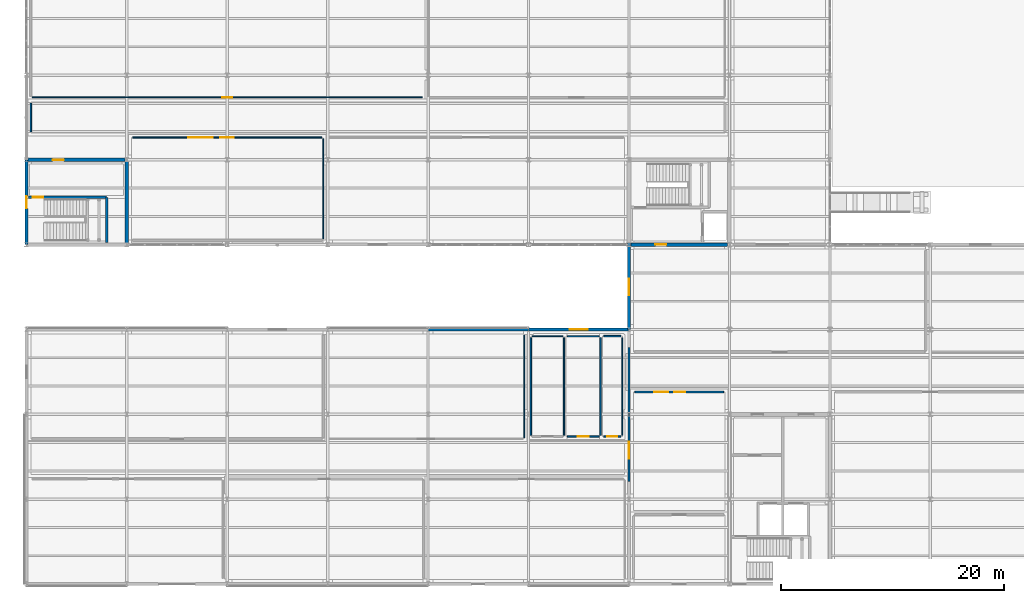
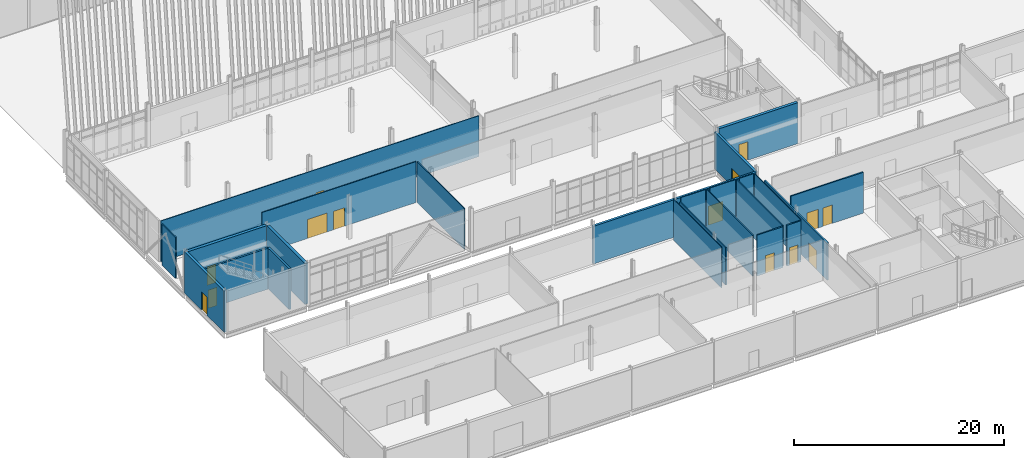
# One storey, part 139 of 161: 25 walls, 13 doors, 1 window, 14 openings.
"""IFC4 building model written with IfcOpenShell, lengths in metres."""

from ifc_helpers import new_model, si_unit, direction, frame, frame_2d, origin, place, context, subcontext, project, spatial, rectangle, extrude, material, layer, layer_set, type_object, element, fill, save


model = new_model("IFC4")

# Units and contexts
model_context = context("Model", 3, precision=1e-05, world=origin(), true_north=direction((0.0, 1.0)))
body_context = subcontext(model_context, "Body", "Model", "MODEL_VIEW")
ifc_project = project(units=[si_unit("LENGTHUNIT", "METRE"), si_unit("AREAUNIT", "SQUARE_METRE"), si_unit("VOLUMEUNIT", "CUBIC_METRE"), si_unit("PLANEANGLEUNIT", "RADIAN"), si_unit("MASSUNIT", "GRAM", prefix="KILO")], contexts=[model_context])

# Site, building, storey
site_placement = place(None, origin())
site = spatial("IfcSite", under=ifc_project, at=site_placement, CompositionType="ELEMENT")
building_placement = place(site_placement, origin())
building = spatial("IfcBuilding", under=site, at=building_placement, Name="Caisbarro Railhouse Central Library", CompositionType="ELEMENT")
storey_placement = place(building_placement, origin())
storey = spatial("IfcBuildingStorey", under=building, at=storey_placement, Name="L00", CompositionType="ELEMENT", Elevation=0.0)

# Wall, opening, door
ifc_material_1 = material(Name="Concrete C40", Category="concrete")
ifc_layer_1 = layer(ifc_material_1, 0.320068359375, Name="Concrete C40")
ifc_layer_set_1 = layer_set([ifc_layer_1], Name="Concrete C40")
wall_type_1 = type_object("IfcWallType", Name="WAL-CW32", PredefinedType="SHEAR", material=ifc_layer_set_1)
wall_1_placement = place(storey_placement, frame((54.159912109375, 30.39990234375, 0.0), z_axis=(0.0, 0.0, 1.0), x_axis=(1.0, 0.0, 0.0)))
wall_1 = element("IfcWall", 1, at=wall_1_placement, inside=storey, type_object=wall_type_1, Name="CW32 RC core shear wall L00 #58", PredefinedType="SHEAR", context=body_context, shape_type="SweptSolid", body=[
    extrude(rectangle(XDim=8.68017578125, YDim=0.320068359375, at=frame_2d((4.340087890625, 0.0))), origin(), (0.0, 0.0, 1.0), 4.760009765625),
])
opening_1_placement = place(wall_1_placement, frame((2.199951171875, 0.0, 0.0)))
opening_1 = element("IfcOpeningElement", 2, at=opening_1_placement, cuts=wall_1, Name="Opening FD05", PredefinedType="OPENING", context=body_context, shape_type="SweptSolid", body=[
    extrude(rectangle(XDim=1.0, YDim=2.14990234375, at=frame_2d((0.5, 1.074951171875))), frame((0.0, 0.169921875, 0.0), z_axis=(0.0, -1.0, 0.0), x_axis=(1.0, 0.0, 0.0)), (0.0, 0.0, 1.0), 0.340087890625),
])
ifc_material_2 = material(Name="Fire-rated painted galvanised steel", Category="steel")
door_type_1 = type_object("IfcDoorType", Name="DR-FD05", OperationType="NOTDEFINED", PredefinedType="DOOR", material=ifc_material_2)
door_1_placement = place(opening_1_placement, origin())
door_1 = element("IfcDoor", 3, at=door_1_placement, inside=storey, type_object=door_type_1, Name="Core K4 Lobby Door FD05 L00-105", OperationType="SINGLE_SWING_RIGHT", OverallHeight=2.14990234375, OverallWidth=1.0, PredefinedType="DOOR", context=body_context, shape_type="SweptSolid", body=[
    extrude(rectangle(XDim=1.0, YDim=2.14990234375, at=frame_2d((0.5, 1.074951171875))), frame((0.0, 0.02490234375, 0.0), z_axis=(0.0, -1.0, 0.0), x_axis=(1.0, 0.0, 0.0)), (0.0, 0.0, 1.0), 0.050048828125),
])
fill(opening_1, door_1)

wall_2_placement = place(storey_placement, frame((0.159912109375, 38.0, 0.0), z_axis=(0.0, 0.0, 1.0), x_axis=(1.0, 0.0, 0.0)))
wall_2 = element("IfcWall", 4, at=wall_2_placement, inside=storey, type_object=wall_type_1, Name="CW32 RC core shear wall L00 #82", PredefinedType="SHEAR", context=body_context, shape_type="SweptSolid", body=[
    extrude(rectangle(XDim=8.68017578125, YDim=0.320068359375, at=frame_2d((4.340087890625, 0.0))), origin(), (0.0, 0.0, 1.0), 4.760009765625),
])
opening_2_placement = place(wall_2_placement, frame((2.199951171875, 0.0, 0.0)))
opening_2 = element("IfcOpeningElement", 5, at=opening_2_placement, cuts=wall_2, Name="Opening FD05", PredefinedType="OPENING", context=body_context, shape_type="SweptSolid", body=[
    extrude(rectangle(XDim=1.0, YDim=2.14990234375, at=frame_2d((0.5, 1.074951171875))), frame((0.0, 0.169921875, 0.0), z_axis=(0.0, -1.0, 0.0), x_axis=(1.0, 0.0, 0.0)), (0.0, 0.0, 1.0), 0.340087890625),
])
door_2_placement = place(opening_2_placement, origin())
door_2 = element("IfcDoor", 6, at=door_2_placement, inside=storey, type_object=door_type_1, Name="Core K6 Lobby Door FD05 L00-120", OperationType="SINGLE_SWING_LEFT", OverallHeight=2.14990234375, OverallWidth=1.0, PredefinedType="DOOR", context=body_context, shape_type="SweptSolid", body=[
    extrude(rectangle(XDim=1.0, YDim=2.14990234375, at=frame_2d((0.5, 1.074951171875))), frame((0.0, 0.02490234375, 0.0), z_axis=(0.0, -1.0, 0.0), x_axis=(1.0, 0.0, 0.0)), (0.0, 0.0, 1.0), 0.050048828125),
])
fill(opening_2, door_2)

# Walls
wall_3_placement = place(storey_placement, frame((9.0, 30.56005859375, 0.0), z_axis=(0.0, 0.0, 1.0), x_axis=(0.0, 1.0, 0.0)))
element("IfcWall", 7, at=wall_3_placement, inside=storey, type_object=wall_type_1, Name="CW32 RC core shear wall L00 #83", PredefinedType="SHEAR", context=body_context, shape_type="SweptSolid", body=[
    extrude(rectangle(XDim=7.280029296875, YDim=0.320068359375, at=frame_2d((3.64013671875, 0.0))), origin(), (0.0, 0.0, 1.0), 4.760009765625),
])
ifc_material_3 = material(Name="Concrete C35 insulated architectural precast", Category="concrete")
ifc_layer_2 = layer(ifc_material_3, 0.260009765625, Name="Concrete C35 insulated architectural precast")
ifc_layer_set_2 = layer_set([ifc_layer_2], Name="Concrete C35 insulated architectural precast")
wall_type_2 = type_object("IfcWallType", Name="WAL-EW26", PredefinedType="STANDARD", material=ifc_layer_set_2)
wall_4_placement = place(storey_placement, frame((36.0, 22.800048828125, 0.0), z_axis=(0.0, 0.0, 1.0), x_axis=(1.0, 0.0, 0.0)))
element("IfcWall", 8, at=wall_4_placement, inside=storey, type_object=wall_type_2, Name="EW26 exterior wall L00 #48", PredefinedType="STANDARD", context=body_context, shape_type="SweptSolid", body=[
    extrude(rectangle(XDim=9.0, YDim=0.260009765625, at=frame_2d((4.5, 0.0))), origin(), (0.0, 0.0, 1.0), 4.37109375),
])

# Wall, opening, door
wall_5_placement = place(storey_placement, frame((45.0, 22.800048828125, 0.0), z_axis=(0.0, 0.0, 1.0), x_axis=(1.0, 0.0, 0.0)))
wall_5 = element("IfcWall", 9, at=wall_5_placement, inside=storey, type_object=wall_type_2, Name="EW26 exterior wall L00 #50", PredefinedType="STANDARD", context=body_context, shape_type="SweptSolid", body=[
    extrude(rectangle(XDim=9.0, YDim=0.260009765625, at=frame_2d((4.5, 0.0))), origin(), (0.0, 0.0, 1.0), 4.37109375),
])
opening_3_placement = place(wall_5_placement, frame((3.699951171875, 0.0, 0.0)))
opening_3 = element("IfcOpeningElement", 10, at=opening_3_placement, cuts=wall_5, Name="Opening ED03", PredefinedType="OPENING", context=body_context, shape_type="SweptSolid", body=[
    extrude(rectangle(XDim=1.60009765625, YDim=2.199951171875, at=frame_2d((0.800048828125, 1.10009765625))), frame((0.0, 0.14013671875, 0.0), z_axis=(0.0, -1.0, 0.0), x_axis=(1.0, 0.0, 0.0)), (0.0, 0.0, 1.0), 0.280029296875),
])
ifc_material_4 = material(Name="Thermally broken anodised aluminium and safety glass", Category="aluminium")
door_type_2 = type_object("IfcDoorType", Name="DR-ED03", OperationType="NOTDEFINED", PredefinedType="DOOR", material=ifc_material_4)
door_3_placement = place(opening_3_placement, origin())
door_3 = element("IfcDoor", 11, at=door_3_placement, inside=storey, type_object=door_type_2, Name="Exit Door ED03 L00-13", OperationType="SINGLE_SWING_LEFT", OverallHeight=2.199951171875, OverallWidth=1.60009765625, PredefinedType="DOOR", context=body_context, shape_type="SweptSolid", body=[
    extrude(rectangle(XDim=1.60009765625, YDim=2.199951171875, at=frame_2d((0.800048828125, 1.10009765625))), frame((0.0, 0.02490234375, 0.0), z_axis=(0.0, -1.0, 0.0), x_axis=(1.0, 0.0, 0.0)), (0.0, 0.0, 1.0), 0.050048828125),
])
fill(opening_3, door_3)

# Wall, opening, window
wall_6_placement = place(storey_placement, frame((54.0, 22.800048828125, 0.0), z_axis=(0.0, 0.0, 1.0), x_axis=(0.0, 1.0, 0.0)))
wall_6 = element("IfcWall", 12, at=wall_6_placement, inside=storey, type_object=wall_type_2, Name="EW26 exterior wall L00 #80", PredefinedType="STANDARD", context=body_context, shape_type="SweptSolid", body=[
    extrude(rectangle(XDim=7.81005859375, YDim=0.260009765625, at=frame_2d((3.905029296875, 0.0))), origin(), (0.0, 0.0, 1.0), 4.319091796875),
])
opening_4_placement = place(wall_6_placement, frame((3.050048828125, 0.0, 0.85009765625)))
opening_4 = element("IfcOpeningElement", 13, at=opening_4_placement, cuts=wall_6, Name="Opening W05", PredefinedType="OPENING", context=body_context, shape_type="SweptSolid", body=[
    extrude(rectangle(XDim=1.5, YDim=1.199951171875, at=frame_2d((0.75, 0.60009765625))), frame((0.0, 0.14013671875, 0.0), z_axis=(0.0, -1.0, 0.0), x_axis=(1.0, 0.0, 0.0)), (0.0, 0.0, 1.0), 0.280029296875),
])
ifc_material_5 = material(Name="Double low-e laminated solar-control glass", Category="glass")
window_type = type_object("IfcWindowType", Name="WIN-W05", PartitioningType="SINGLE_PANEL", PredefinedType="WINDOW", material=ifc_material_5)
window_placement = place(opening_4_placement, origin())
window = element("IfcWindow", 14, at=window_placement, inside=storey, type_object=window_type, Name="W05 window L00-008", OverallHeight=1.199951171875, OverallWidth=1.5, PartitioningType="SINGLE_PANEL", PredefinedType="WINDOW", context=body_context, shape_type="SweptSolid", body=[
    extrude(rectangle(XDim=1.5, YDim=1.199951171875, at=frame_2d((0.75, 0.60009765625))), frame((0.0, 0.030029296875, 0.0), z_axis=(0.0, -1.0, 0.0), x_axis=(1.0, 0.0, 0.0)), (0.0, 0.0, 1.0), 0.06005859375),
])
fill(opening_4, window)

# Wall, opening, door
ifc_layer_3 = layer(ifc_material_1, 0.280029296875, Name="Concrete C40")
ifc_layer_set_3 = layer_set([ifc_layer_3], Name="Concrete C40")
wall_type_3 = type_object("IfcWallType", Name="WAL-EW28", PredefinedType="SOLIDWALL", material=ifc_layer_set_3)
wall_7_placement = place(storey_placement, frame((0.0, 30.39990234375, 0.0), z_axis=(0.0, 0.0, 1.0), x_axis=(0.0, 1.0, 0.0)))
wall_7 = element("IfcWall", 15, at=wall_7_placement, inside=storey, type_object=wall_type_3, Name="EW28 exterior wall L00 #26", PredefinedType="SOLIDWALL", context=body_context, shape_type="SweptSolid", body=[
    extrude(rectangle(XDim=7.60009765625, YDim=0.280029296875, at=frame_2d((3.800048828125, 0.0))), origin(), (0.0, 0.0, 1.0), 4.800048828125),
])
opening_5_placement = place(wall_7_placement, frame((3.25, 0.0, 0.0)))
opening_5 = element("IfcOpeningElement", 16, at=opening_5_placement, cuts=wall_7, Name="Opening ED04", PredefinedType="OPENING", context=body_context, shape_type="SweptSolid", body=[
    extrude(rectangle(XDim=1.10009765625, YDim=2.14990234375, at=frame_2d((0.550048828125, 1.074951171875))), frame((0.0, 0.14990234375, 0.0), z_axis=(0.0, -1.0, 0.0), x_axis=(1.0, 0.0, 0.0)), (0.0, 0.0, 1.0), 0.300048828125),
])
ifc_material_6 = material(Name="Galvanised painted hollow steel", Category="steel")
door_type_3 = type_object("IfcDoorType", Name="DR-ED04", OperationType="NOTDEFINED", PredefinedType="DOOR", material=ifc_material_6)
door_4_placement = place(opening_5_placement, origin())
door_4 = element("IfcDoor", 17, at=door_4_placement, inside=storey, type_object=door_type_3, Name="Exit Door ED04 L00-04", OperationType="SINGLE_SWING_LEFT", OverallHeight=2.14990234375, OverallWidth=1.10009765625, PredefinedType="DOOR", context=body_context, shape_type="SweptSolid", body=[
    extrude(rectangle(XDim=1.10009765625, YDim=2.14990234375, at=frame_2d((0.550048828125, 1.074951171875))), frame((0.0, 0.02490234375, 0.0), z_axis=(0.0, -1.0, 0.0), x_axis=(1.0, 0.0, 0.0)), (0.0, 0.0, 1.0), 0.050048828125),
])
fill(opening_5, door_4)

# Walls
ifc_material_7 = material(Name="Acoustic gypsum board on galvanised steel studs", Category="steel")
ifc_layer_4 = layer(ifc_material_7, 0.090087890625, Name="Acoustic gypsum board on galvanised steel studs")
ifc_layer_set_4 = layer_set([ifc_layer_4], Name="Acoustic gypsum board on galvanised steel studs")
wall_type_4 = type_object("IfcWallType", Name="WAL-IW09", PredefinedType="PARTITIONING", material=ifc_layer_set_4)
wall_8_placement = place(storey_placement, frame((44.60009765625, 13.1201171875, 0.0), z_axis=(0.0, 0.0, 1.0), x_axis=(0.0, 1.0, 0.0)))
element("IfcWall", 18, at=wall_8_placement, inside=storey, type_object=wall_type_4, Name="IW09 partition wall L00 #273", PredefinedType="PARTITIONING", context=body_context, shape_type="SweptSolid", body=[
    extrude(rectangle(XDim=9.159912109375, YDim=0.090087890625, at=frame_2d((4.580078125, 0.0))), origin(), (0.0, 0.0, 1.0), 4.760009765625),
])
wall_9_placement = place(storey_placement, frame((45.320068359375, 22.199951171875, 0.0), z_axis=(0.0, 0.0, 1.0), x_axis=(1.0, 0.0, 0.0)))
element("IfcWall", 19, at=wall_9_placement, inside=storey, type_object=wall_type_4, Name="IW09 partition wall L00 #277", PredefinedType="PARTITIONING", context=body_context, shape_type="SweptSolid", body=[
    extrude(rectangle(XDim=2.72802734375, YDim=0.090087890625, at=frame_2d((1.364013671875, 0.0))), origin(), (0.0, 0.0, 1.0), 4.760009765625),
])
wall_10_placement = place(storey_placement, frame((53.39990234375, 13.320068359375, 0.0), z_axis=(0.0, 0.0, 1.0), x_axis=(0.0, 1.0, 0.0)))
element("IfcWall", 20, at=wall_10_placement, inside=storey, type_object=wall_type_4, Name="IW09 partition wall L00 #281", PredefinedType="PARTITIONING", context=body_context, shape_type="SweptSolid", body=[
    extrude(rectangle(XDim=8.760009765625, YDim=0.090087890625, at=frame_2d((4.3798828125, 0.0))), origin(), (0.0, 0.0, 1.0), 4.760009765625),
])
wall_11_placement = place(storey_placement, frame((26.60009765625, 30.919921875, 0.0), z_axis=(0.0, 0.0, 1.0), x_axis=(0.0, 1.0, 0.0)))
element("IfcWall", 21, at=wall_11_placement, inside=storey, type_object=wall_type_4, Name="IW09 partition wall L00 #293", PredefinedType="PARTITIONING", context=body_context, shape_type="SweptSolid", body=[
    extrude(rectangle(XDim=8.9599609375, YDim=0.090087890625, at=frame_2d((4.47998046875, 0.0))), origin(), (0.0, 0.0, 1.0), 4.760009765625),
])

# Wall, opening, door
wall_12_placement = place(storey_placement, frame((0.52001953125, 43.60009765625, 0.0), z_axis=(0.0, 0.0, 1.0), x_axis=(1.0, 0.0, 0.0)))
wall_12 = element("IfcWall", 22, at=wall_12_placement, inside=storey, type_object=wall_type_4, Name="IW09 partition wall L00 #357", PredefinedType="PARTITIONING", context=body_context, shape_type="SweptSolid", body=[
    extrude(rectangle(XDim=34.9599609375, YDim=0.090087890625, at=frame_2d((17.47998046875, 0.0))), origin(), (0.0, 0.0, 1.0), 4.760009765625),
])
opening_6_placement = place(wall_12_placement, frame((17.050048828125, 0.0, 0.0)))
opening_6 = element("IfcOpeningElement", 23, at=opening_6_placement, cuts=wall_12, Name="Opening ID01", PredefinedType="OPENING", context=body_context, shape_type="SweptSolid", body=[
    extrude(rectangle(XDim=0.860107421875, YDim=2.06005859375, at=frame_2d((0.43017578125, 1.030029296875))), frame((0.0, 0.05517578125, 0.0), z_axis=(0.0, -1.0, 0.0), x_axis=(1.0, 0.0, 0.0)), (0.0, 0.0, 1.0), 0.110107421875),
])
ifc_material_8 = material(Name="Solid-core tropical hardwood veneer", Category="wood")
door_type_4 = type_object("IfcDoorType", Name="DR-ID01", OperationType="NOTDEFINED", PredefinedType="DOOR", material=ifc_material_8)
door_5_placement = place(opening_6_placement, origin())
door_5 = element("IfcDoor", 24, at=door_5_placement, inside=storey, type_object=door_type_4, Name="Periodicals and Newspaper Lounge Door ID01 L00-219", OperationType="SINGLE_SWING_LEFT", OverallHeight=2.06005859375, OverallWidth=0.860107421875, PredefinedType="DOOR", context=body_context, shape_type="SweptSolid", body=[
    extrude(rectangle(XDim=0.860107421875, YDim=2.06005859375, at=frame_2d((0.43017578125, 1.030029296875))), frame((0.0, 0.02490234375, 0.0), z_axis=(0.0, -1.0, 0.0), x_axis=(1.0, 0.0, 0.0)), (0.0, 0.0, 1.0), 0.050048828125),
])
fill(opening_6, door_5)

# Walls
ifc_layer_5 = layer(ifc_material_7, 0.110107421875, Name="Acoustic gypsum board on galvanised steel studs")
ifc_layer_set_5 = layer_set([ifc_layer_5], Name="Acoustic gypsum board on galvanised steel studs")
wall_type_5 = type_object("IfcWallType", Name="WAL-IW11", PredefinedType="PARTITIONING", material=ifc_layer_set_5)
wall_13_placement = place(storey_placement, frame((48.16796875, 13.320068359375, 0.0), z_axis=(0.0, 0.0, 1.0), x_axis=(0.0, 1.0, 0.0)))
element("IfcWall", 25, at=wall_13_placement, inside=storey, type_object=wall_type_5, Name="IW11 partition wall L00 #276", PredefinedType="PARTITIONING", context=body_context, shape_type="SweptSolid", body=[
    extrude(rectangle(XDim=8.760009765625, YDim=0.110107421875, at=frame_2d((4.3798828125, 0.0))), origin(), (0.0, 0.0, 1.0), 4.760009765625),
])
wall_14_placement = place(storey_placement, frame((48.488037109375, 22.199951171875, 0.0), z_axis=(0.0, 0.0, 1.0), x_axis=(1.0, 0.0, 0.0)))
element("IfcWall", 26, at=wall_14_placement, inside=storey, type_object=wall_type_5, Name="IW11 partition wall L00 #280", PredefinedType="PARTITIONING", context=body_context, shape_type="SweptSolid", body=[
    extrude(rectangle(XDim=2.827880859375, YDim=0.110107421875, at=frame_2d((1.4140625, 0.0))), origin(), (0.0, 0.0, 1.0), 4.760009765625),
])

# Wall, openings, doors
wall_15_placement = place(storey_placement, frame((9.52001953125, 40.0, 0.0), z_axis=(0.0, 0.0, 1.0), x_axis=(1.0, 0.0, 0.0)))
wall_15 = element("IfcWall", 27, at=wall_15_placement, inside=storey, type_object=wall_type_5, Name="IW11 partition wall L00 #292", PredefinedType="PARTITIONING", context=body_context, shape_type="SweptSolid", body=[
    extrude(rectangle(XDim=16.9599609375, YDim=0.110107421875, at=frame_2d((8.47998046875, 0.0))), origin(), (0.0, 0.0, 1.0), 4.760009765625),
])
opening_7_placement = place(wall_15_placement, frame((7.875, 0.0, 0.0)))
opening_7 = element("IfcOpeningElement", 28, at=opening_7_placement, cuts=wall_15, Name="Opening ID30", PredefinedType="OPENING", context=body_context, shape_type="SweptSolid", body=[
    extrude(rectangle(XDim=1.2099609375, YDim=2.14990234375, at=frame_2d((0.60498046875, 1.074951171875))), frame((0.0, 0.06494140625, 0.0), z_axis=(0.0, -1.0, 0.0), x_axis=(1.0, 0.0, 0.0)), (0.0, 0.0, 1.0), 0.130126953125),
])
opening_8_placement = place(wall_15_placement, frame((4.989990234375, 0.0, 0.0)))
opening_8 = element("IfcOpeningElement", 29, at=opening_8_placement, cuts=wall_15, Name="Opening ID55", PredefinedType="OPENING", context=body_context, shape_type="SweptSolid", body=[
    extrude(rectangle(XDim=2.179931640625, YDim=2.199951171875, at=frame_2d((1.08984375, 1.10009765625))), frame((0.0, 0.06494140625, 0.0), z_axis=(0.0, -1.0, 0.0), x_axis=(1.0, 0.0, 0.0)), (0.0, 0.0, 1.0), 0.130126953125),
])
door_type_5 = type_object("IfcDoorType", Name="DR-ID30", OperationType="NOTDEFINED", PredefinedType="DOOR", material=ifc_material_8)
door_6_placement = place(opening_7_placement, origin())
door_6 = element("IfcDoor", 30, at=door_6_placement, inside=storey, type_object=door_type_5, Name="Braille and Accessible Media Reading Room Door ID30 L00-192", OperationType="SINGLE_SWING_RIGHT", OverallHeight=2.14990234375, OverallWidth=1.2099609375, PredefinedType="DOOR", context=body_context, shape_type="SweptSolid", body=[
    extrude(rectangle(XDim=1.2099609375, YDim=2.14990234375, at=frame_2d((0.60498046875, 1.074951171875))), frame((0.0, 0.02490234375, 0.0), z_axis=(0.0, -1.0, 0.0), x_axis=(1.0, 0.0, 0.0)), (0.0, 0.0, 1.0), 0.050048828125),
])
fill(opening_7, door_6)
door_type_6 = type_object("IfcDoorType", Name="DR-ID55", OperationType="NOTDEFINED", PredefinedType="DOOR", material=ifc_material_8)
door_7_placement = place(opening_8_placement, origin())
door_7 = element("IfcDoor", 31, at=door_7_placement, inside=storey, type_object=door_type_6, Name="Main Hall Concourse Corridor Door ID55 L00-217", OperationType="SINGLE_SWING_LEFT", OverallHeight=2.199951171875, OverallWidth=2.179931640625, PredefinedType="DOOR", context=body_context, shape_type="SweptSolid", body=[
    extrude(rectangle(XDim=2.179931640625, YDim=2.199951171875, at=frame_2d((1.08984375, 1.10009765625))), frame((0.0, 0.02490234375, 0.0), z_axis=(0.0, -1.0, 0.0), x_axis=(1.0, 0.0, 0.0)), (0.0, 0.0, 1.0), 0.050048828125),
])
fill(opening_8, door_7)

# Walls
ifc_layer_6 = layer(ifc_material_7, 0.1298828125, Name="Acoustic gypsum board on galvanised steel studs")
ifc_layer_set_6 = layer_set([ifc_layer_6], Name="Acoustic gypsum board on galvanised steel studs")
wall_type_6 = type_object("IfcWallType", Name="WAL-IW13", PredefinedType="PARTITIONING", material=ifc_layer_set_6)
wall_16_placement = place(storey_placement, frame((45.199951171875, 13.320068359375, 0.0), z_axis=(0.0, 0.0, 1.0), x_axis=(0.0, 1.0, 0.0)))
element("IfcWall", 32, at=wall_16_placement, inside=storey, type_object=wall_type_6, Name="IW13 partition wall L00 #275", PredefinedType="PARTITIONING", context=body_context, shape_type="SweptSolid", body=[
    extrude(rectangle(XDim=8.760009765625, YDim=0.1298828125, at=frame_2d((4.3798828125, 0.0))), origin(), (0.0, 0.0, 1.0), 4.35888671875),
])
wall_17_placement = place(storey_placement, frame((51.43603515625, 13.320068359375, 0.0), z_axis=(0.0, 0.0, 1.0), x_axis=(0.0, 1.0, 0.0)))
element("IfcWall", 33, at=wall_17_placement, inside=storey, type_object=wall_type_6, Name="IW13 partition wall L00 #279", PredefinedType="PARTITIONING", context=body_context, shape_type="SweptSolid", body=[
    extrude(rectangle(XDim=8.760009765625, YDim=0.1298828125, at=frame_2d((4.3798828125, 0.0))), origin(), (0.0, 0.0, 1.0), 4.760009765625),
])
wall_18_placement = place(storey_placement, frame((51.756103515625, 22.199951171875, 0.0), z_axis=(0.0, 0.0, 1.0), x_axis=(1.0, 0.0, 0.0)))
element("IfcWall", 34, at=wall_18_placement, inside=storey, type_object=wall_type_6, Name="IW13 partition wall L00 #283", PredefinedType="PARTITIONING", context=body_context, shape_type="SweptSolid", body=[
    extrude(rectangle(XDim=1.52392578125, YDim=0.1298828125, at=frame_2d((0.761962890625, 0.0))), origin(), (0.0, 0.0, 1.0), 4.760009765625),
])
wall_19_placement = place(storey_placement, frame((0.39990234375, 40.52001953125, 0.0), z_axis=(0.0, 0.0, 1.0), x_axis=(0.0, 1.0, 0.0)))
element("IfcWall", 35, at=wall_19_placement, inside=storey, type_object=wall_type_6, Name="IW13 partition wall L00 #355", PredefinedType="PARTITIONING", context=body_context, shape_type="SweptSolid", body=[
    extrude(rectangle(XDim=2.56005859375, YDim=0.1298828125, at=frame_2d((1.280029296875, 0.0))), origin(), (0.0, 0.0, 1.0), 4.760009765625),
])

# Wall, opening, door
ifc_layer_7 = layer(ifc_material_7, 0.14990234375, Name="Acoustic gypsum board on galvanised steel studs")
ifc_layer_set_7 = layer_set([ifc_layer_7], Name="Acoustic gypsum board on galvanised steel studs")
wall_type_7 = type_object("IfcWallType", Name="WAL-IW15", PredefinedType="PARTITIONING", material=ifc_layer_set_7)
wall_20_placement = place(storey_placement, frame((48.488037109375, 13.199951171875, 0.0), z_axis=(0.0, 0.0, 1.0), x_axis=(1.0, 0.0, 0.0)))
wall_20 = element("IfcWall", 36, at=wall_20_placement, inside=storey, type_object=wall_type_7, Name="IW15 partition wall L00 #278", PredefinedType="PARTITIONING", context=body_context, shape_type="SweptSolid", body=[
    extrude(rectangle(XDim=2.827880859375, YDim=0.14990234375, at=frame_2d((1.4140625, 0.0))), origin(), (0.0, 0.0, 1.0), 4.760009765625),
])
opening_9_placement = place(wall_20_placement, frame((0.924072265625, 0.0, 0.0)))
opening_9 = element("IfcOpeningElement", 37, at=opening_9_placement, cuts=wall_20, Name="Opening ID04", PredefinedType="OPENING", context=body_context, shape_type="SweptSolid", body=[
    extrude(rectangle(XDim=0.97998046875, YDim=2.06005859375, at=frame_2d((0.489990234375, 1.030029296875))), frame((0.0, 0.0849609375, 0.0), z_axis=(0.0, -1.0, 0.0), x_axis=(1.0, 0.0, 0.0)), (0.0, 0.0, 1.0), 0.169921875),
])
door_type_7 = type_object("IfcDoorType", Name="DR-ID04", OperationType="NOTDEFINED", PredefinedType="DOOR", material=ifc_material_8)
door_8_placement = place(opening_9_placement, origin())
door_8 = element("IfcDoor", 38, at=door_8_placement, inside=storey, type_object=door_type_7, Name="Female WC L00-W Door ID04 L00-184", OperationType="SINGLE_SWING_RIGHT", OverallHeight=2.06005859375, OverallWidth=0.97998046875, PredefinedType="DOOR", context=body_context, shape_type="SweptSolid", body=[
    extrude(rectangle(XDim=0.97998046875, YDim=2.06005859375, at=frame_2d((0.489990234375, 1.030029296875))), frame((0.0, 0.02490234375, 0.0), z_axis=(0.0, -1.0, 0.0), x_axis=(1.0, 0.0, 0.0)), (0.0, 0.0, 1.0), 0.050048828125),
])
fill(opening_9, door_8)

wall_21_placement = place(storey_placement, frame((51.756103515625, 13.199951171875, 0.0), z_axis=(0.0, 0.0, 1.0), x_axis=(1.0, 0.0, 0.0)))
wall_21 = element("IfcWall", 39, at=wall_21_placement, inside=storey, type_object=wall_type_7, Name="IW15 partition wall L00 #282", PredefinedType="PARTITIONING", context=body_context, shape_type="SweptSolid", body=[
    extrude(rectangle(XDim=1.52392578125, YDim=0.14990234375, at=frame_2d((0.761962890625, 0.0))), origin(), (0.0, 0.0, 1.0), 4.760009765625),
])
opening_10_placement = place(wall_21_placement, frame((0.31201171875, 0.0, 0.0)))
opening_10 = element("IfcOpeningElement", 40, at=opening_10_placement, cuts=wall_21, Name="Opening ID02", PredefinedType="OPENING", context=body_context, shape_type="SweptSolid", body=[
    extrude(rectangle(XDim=0.89990234375, YDim=2.06005859375, at=frame_2d((0.449951171875, 1.030029296875))), frame((0.0, 0.0849609375, 0.0), z_axis=(0.0, -1.0, 0.0), x_axis=(1.0, 0.0, 0.0)), (0.0, 0.0, 1.0), 0.169921875),
])
door_type_8 = type_object("IfcDoorType", Name="DR-ID02", OperationType="NOTDEFINED", PredefinedType="DOOR", material=ifc_material_8)
door_9_placement = place(opening_10_placement, origin())
door_9 = element("IfcDoor", 41, at=door_9_placement, inside=storey, type_object=door_type_8, Name="Accessible WC L00-W Door ID02 L00-185", OperationType="SINGLE_SWING_LEFT", OverallHeight=2.06005859375, OverallWidth=0.89990234375, PredefinedType="DOOR", context=body_context, shape_type="SweptSolid", body=[
    extrude(rectangle(XDim=0.89990234375, YDim=2.06005859375, at=frame_2d((0.449951171875, 1.030029296875))), frame((0.0, 0.02490234375, 0.0), z_axis=(0.0, -1.0, 0.0), x_axis=(1.0, 0.0, 0.0)), (0.0, 0.0, 1.0), 0.050048828125),
])
fill(opening_10, door_9)

# Wall, openings, doors
wall_22_placement = place(storey_placement, frame((54.52001953125, 17.199951171875, 0.0), z_axis=(0.0, 0.0, 1.0), x_axis=(1.0, 0.0, 0.0)))
wall_22 = element("IfcWall", 42, at=wall_22_placement, inside=storey, type_object=wall_type_7, Name="IW15 partition wall L00 #286", PredefinedType="PARTITIONING", context=body_context, shape_type="SweptSolid", body=[
    extrude(rectangle(XDim=7.9599609375, YDim=0.14990234375, at=frame_2d((3.97998046875, 0.0))), origin(), (0.0, 0.0, 1.0), 4.760009765625),
])
opening_11_placement = place(wall_22_placement, frame((3.534912109375, 0.0, 0.0)))
opening_11 = element("IfcOpeningElement", 43, at=opening_11_placement, cuts=wall_22, Name="Opening FD05", PredefinedType="OPENING", context=body_context, shape_type="SweptSolid", body=[
    extrude(rectangle(XDim=1.0, YDim=2.14990234375, at=frame_2d((0.5, 1.074951171875))), frame((0.0, 0.0849609375, 0.0), z_axis=(0.0, -1.0, 0.0), x_axis=(1.0, 0.0, 0.0)), (0.0, 0.0, 1.0), 0.169921875),
])
opening_12_placement = place(wall_22_placement, frame((1.7548828125, 0.0, 0.0)))
opening_12 = element("IfcOpeningElement", 44, at=opening_12_placement, cuts=wall_22, Name="Opening FD04", PredefinedType="OPENING", context=body_context, shape_type="SweptSolid", body=[
    extrude(rectangle(XDim=1.25, YDim=2.179931640625, at=frame_2d((0.625, 1.08984375))), frame((0.0, 0.0849609375, 0.0), z_axis=(0.0, -1.0, 0.0), x_axis=(1.0, 0.0, 0.0)), (0.0, 0.0, 1.0), 0.169921875),
])
door_type_9 = type_object("IfcDoorType", Name="DR-FD04", OperationType="NOTDEFINED", PredefinedType="DOOR", material=ifc_material_2)
door_10_placement = place(opening_12_placement, origin())
door_10 = element("IfcDoor", 45, at=door_10_placement, inside=storey, type_object=door_type_9, Name="Archive Spine Corridor L00 Door FD04 L00-216", OperationType="SINGLE_SWING_RIGHT", OverallHeight=2.179931640625, OverallWidth=1.25, PredefinedType="DOOR", context=body_context, shape_type="SweptSolid", body=[
    extrude(rectangle(XDim=1.25, YDim=2.179931640625, at=frame_2d((0.625, 1.08984375))), frame((0.0, 0.02490234375, 0.0), z_axis=(0.0, -1.0, 0.0), x_axis=(1.0, 0.0, 0.0)), (0.0, 0.0, 1.0), 0.050048828125),
])
fill(opening_12, door_10)
door_11_placement = place(opening_11_placement, origin())
door_11 = element("IfcDoor", 46, at=door_11_placement, inside=storey, type_object=door_type_1, Name="Security and BMS Control Room Door FD05 L00-187", OperationType="SINGLE_SWING_LEFT", OverallHeight=2.14990234375, OverallWidth=1.0, PredefinedType="DOOR", context=body_context, shape_type="SweptSolid", body=[
    extrude(rectangle(XDim=1.0, YDim=2.14990234375, at=frame_2d((0.5, 1.074951171875))), frame((0.0, 0.02490234375, 0.0), z_axis=(0.0, -1.0, 0.0), x_axis=(1.0, 0.0, 0.0)), (0.0, 0.0, 1.0), 0.050048828125),
])
fill(opening_11, door_11)

# Wall, opening, door
ifc_material_9 = material(Name="Plastered cellular concrete masonry", Category="masonry")
ifc_layer_8 = layer(ifc_material_9, 0.169921875, Name="Plastered cellular concrete masonry")
ifc_layer_set_8 = layer_set([ifc_layer_8], Name="Plastered cellular concrete masonry")
wall_type_8 = type_object("IfcWallType", Name="WAL-IW17", PredefinedType="PARTITIONING", material=ifc_layer_set_8)
wall_23_placement = place(storey_placement, frame((54.0, 9.199951171875, 0.0), z_axis=(0.0, 0.0, 1.0), x_axis=(0.0, 1.0, 0.0)))
wall_23 = element("IfcWall", 47, at=wall_23_placement, inside=storey, type_object=wall_type_8, Name="IW17 partition wall L00 #258", PredefinedType="PARTITIONING", context=body_context, shape_type="SweptSolid", body=[
    extrude(rectangle(XDim=12.0, YDim=0.169921875, at=frame_2d((6.0, 0.0))), origin(), (0.0, 0.0, 1.0), 4.319091796875),
])
opening_13_placement = place(wall_23_placement, frame((2.0, 0.0, 0.0)))
opening_13 = element("IfcOpeningElement", 48, at=opening_13_placement, cuts=wall_23, Name="Opening FD07", PredefinedType="OPENING", context=body_context, shape_type="SweptSolid", body=[
    extrude(rectangle(XDim=1.550048828125, YDim=2.199951171875, at=frame_2d((0.77490234375, 1.10009765625))), frame((0.0, 0.094970703125, 0.0), z_axis=(0.0, -1.0, 0.0), x_axis=(1.0, 0.0, 0.0)), (0.0, 0.0, 1.0), 0.18994140625),
])
door_type_10 = type_object("IfcDoorType", Name="DR-FD07", OperationType="NOTDEFINED", PredefinedType="DOOR", material=ifc_material_2)
door_12_placement = place(opening_13_placement, origin())
door_12 = element("IfcDoor", 49, at=door_12_placement, inside=storey, type_object=door_type_10, Name="Stacks Interconnecting Fire Door FD07 L00-173", OperationType="SINGLE_SWING_LEFT", OverallHeight=2.199951171875, OverallWidth=1.550048828125, PredefinedType="DOOR", context=body_context, shape_type="SweptSolid", body=[
    extrude(rectangle(XDim=1.550048828125, YDim=2.199951171875, at=frame_2d((0.77490234375, 1.10009765625))), frame((0.0, 0.02490234375, 0.0), z_axis=(0.0, -1.0, 0.0), x_axis=(1.0, 0.0, 0.0)), (0.0, 0.0, 1.0), 0.050048828125),
])
fill(opening_13, door_12)

ifc_layer_9 = layer(ifc_material_1, 0.2099609375, Name="Concrete C40")
ifc_layer_set_9 = layer_set([ifc_layer_9], Name="Concrete C40")
wall_type_9 = type_object("IfcWallType", Name="WAL-SW21", PredefinedType="SOLIDWALL", material=ifc_layer_set_9)
wall_24_placement = place(storey_placement, frame((0.199951171875, 34.64990234375, 0.0), z_axis=(0.0, 0.0, 1.0), x_axis=(1.0, 0.0, 0.0)))
wall_24 = element("IfcWall", 50, at=wall_24_placement, inside=storey, type_object=wall_type_9, Name="SW21 core shaft wall L00 #143", PredefinedType="SOLIDWALL", context=body_context, shape_type="SweptSolid", body=[
    extrude(rectangle(XDim=7.0, YDim=0.2099609375, at=frame_2d((3.5, 0.0))), origin(), (0.0, 0.0, 1.0), 4.760009765625),
])
opening_14_placement = place(wall_24_placement, frame((0.35009765625, 0.0, 0.0)))
opening_14 = element("IfcOpeningElement", 51, at=opening_14_placement, cuts=wall_24, Name="Opening FD01", PredefinedType="OPENING", context=body_context, shape_type="SweptSolid", body=[
    extrude(rectangle(XDim=0.949951171875, YDim=2.1201171875, at=frame_2d((0.47509765625, 1.06005859375))), frame((0.0, 0.114990234375, 0.0), z_axis=(0.0, -1.0, 0.0), x_axis=(1.0, 0.0, 0.0)), (0.0, 0.0, 1.0), 0.22998046875),
])
door_type_11 = type_object("IfcDoorType", Name="DR-FD01", OperationType="NOTDEFINED", PredefinedType="DOOR", material=ifc_material_2)
door_13_placement = place(opening_14_placement, origin())
door_13 = element("IfcDoor", 52, at=door_13_placement, inside=storey, type_object=door_type_11, Name="Stair ST-06 Fire Door FD01 L00-119", OperationType="SINGLE_SWING_RIGHT", OverallHeight=2.1201171875, OverallWidth=0.949951171875, PredefinedType="DOOR", context=body_context, shape_type="SweptSolid", body=[
    extrude(rectangle(XDim=0.949951171875, YDim=2.1201171875, at=frame_2d((0.47509765625, 1.06005859375))), frame((0.0, 0.02490234375, 0.0), z_axis=(0.0, -1.0, 0.0), x_axis=(1.0, 0.0, 0.0)), (0.0, 0.0, 1.0), 0.050048828125),
])
fill(opening_14, door_13)

# Wall
wall_25_placement = place(storey_placement, frame((7.199951171875, 30.60009765625, 0.0), z_axis=(0.0, 0.0, 1.0), x_axis=(0.0, 1.0, 0.0)))
element("IfcWall", 53, at=wall_25_placement, inside=storey, type_object=wall_type_9, Name="SW21 core shaft wall L00 #144", PredefinedType="SOLIDWALL", context=body_context, shape_type="SweptSolid", body=[
    extrude(rectangle(XDim=4.0498046875, YDim=0.2099609375, at=frame_2d((2.02490234375, 0.0))), origin(), (0.0, 0.0, 1.0), 4.760009765625),
])

save(model, "model.ifc")
